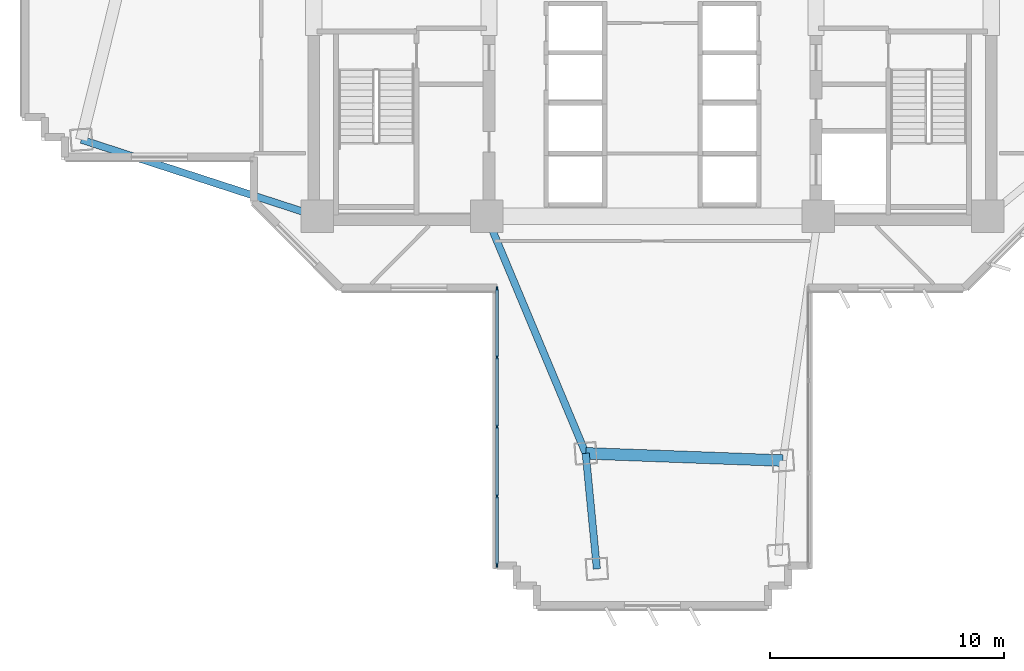
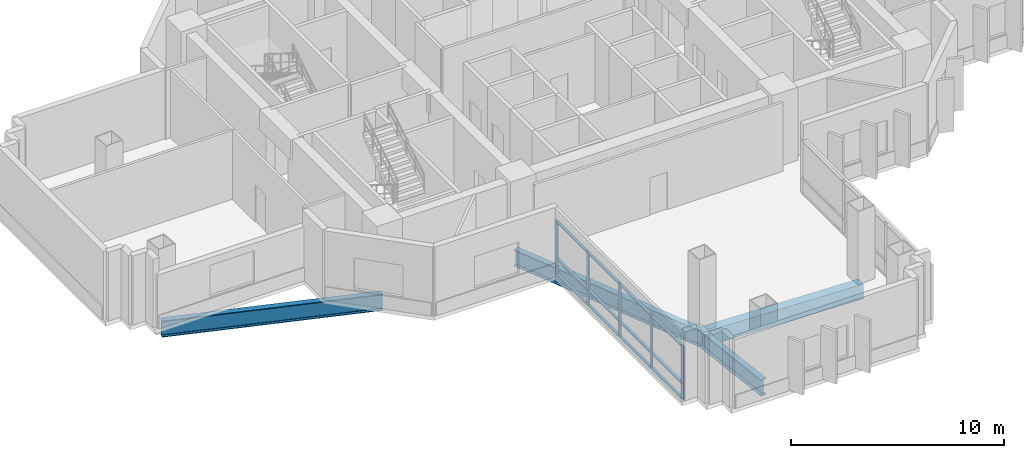
# One storey, part 2 of 14: 17 members, 4 beams, 1 element without a shape of its own.
"""IFC4 building model written with IfcOpenShell, lengths in metres."""

from ifc_helpers import new_model, si_unit, direction, frame, origin, origin_2d, place, context, subcontext, project, spatial, rectangle, i_section, extrude, source, transform, mapped, material, layer, layer_set, material_profile, profile_set, type_object, element, aggregate, save


model = new_model("IFC4")

# Units and contexts
model_context = context("Model", 3, precision=1e-05, world=origin(), true_north=direction((0.0, 1.0)))
body_context = subcontext(model_context, "Body", "Model", "MODEL_VIEW")
ifc_project = project(units=[si_unit("LENGTHUNIT", "METRE"), si_unit("AREAUNIT", "SQUARE_METRE"), si_unit("VOLUMEUNIT", "CUBIC_METRE"), si_unit("PLANEANGLEUNIT", "RADIAN"), si_unit("MASSUNIT", "GRAM", prefix="KILO")], contexts=[model_context])

# Site, building, storey
site_placement = place(None, origin())
site = spatial("IfcSite", under=ifc_project, at=site_placement, CompositionType="ELEMENT")
building_placement = place(site_placement, origin())
building = spatial("IfcBuilding", under=site, at=building_placement, Name="Zahravan Cultural Tower", CompositionType="ELEMENT")
storey_placement = place(building_placement, frame((0.0, 0.0, 37.5)))
storey = spatial("IfcBuildingStorey", under=building, at=storey_placement, Name="L07", CompositionType="ELEMENT", Elevation=37.5)

# Beams
ifc_material_1 = material(Name="Steel ASTM A992 Grade 50", Category="steel")
ifc_material_profile_1 = material_profile(ifc_material_1, i_section(OverallWidth=0.30908203125, OverallDepth=0.931884765625, WebThickness=0.02099609375, FlangeThickness=0.034423828125, FilletRadius=0.02392578125, at=origin_2d()), Name="W36X210")
ifc_profile_set_1 = profile_set([ifc_material_profile_1], Name="Steel ASTM A992 Grade 50")
beam_type_1 = type_object("IfcBeamType", Name="BM-G-W36X210", PredefinedType="BEAM", material=ifc_profile_set_1)
shared_shape_1 = source(origin(), body_context, "Body", "SweptSolid", [
    extrude(i_section(OverallWidth=0.30908203125, OverallDepth=0.931884765625, WebThickness=0.02099609375, FlangeThickness=0.034423828125, FilletRadius=0.02392578125, at=origin_2d()), origin(), (0.0, 0.0, 1.0), 10.615966796875),
])
beam_1_placement = place(storey_placement, frame((21.64990234375, 17.800048828125, -0.716064453125), z_axis=(-0.951063640083, 0.30899506875, 0.0), x_axis=(-0.30899506875, -0.951063640083, 0.0)))
element("IfcBeam", 1, at=beam_1_placement, inside=storey, type_object=beam_type_1, Name="L07 Beam BG-L07-07", PredefinedType="BEAM", context=body_context, shape_type="MappedRepresentation", body=[
    mapped(shared_shape_1, transform((0.0, 0.0, 0.0), x_axis=(1.0, 0.0, 0.0), y_axis=(0.0, 1.0, 0.0), z_axis=(0.0, 0.0, 1.0), scale=1.0)),
])
shared_shape_2 = source(origin(), body_context, "Body", "SweptSolid", [
    extrude(i_section(OverallWidth=0.30908203125, OverallDepth=0.931884765625, WebThickness=0.02099609375, FlangeThickness=0.034423828125, FilletRadius=0.02392578125, at=origin_2d()), origin(), (0.0, 0.0, 1.0), 10.997802734375),
])
beam_2_placement = place(storey_placement, frame((28.89990234375, 17.800048828125, -0.716064453125), z_axis=(0.385775211449, -0.922592806297, 0.0), x_axis=(0.922592806297, 0.385775211449, 0.0)))
element("IfcBeam", 2, at=beam_2_placement, inside=storey, type_object=beam_type_1, Name="L07 Beam BG-L07-08", PredefinedType="BEAM", context=body_context, shape_type="MappedRepresentation", body=[
    mapped(shared_shape_2, transform((0.0, 0.0, 0.0), x_axis=(1.0, 0.0, 0.0), y_axis=(0.0, 1.0, 0.0), z_axis=(0.0, 0.0, 1.0), scale=1.0)),
])
shared_shape_3 = source(origin(), body_context, "Body", "SweptSolid", [
    extrude(i_section(OverallWidth=0.30908203125, OverallDepth=0.931884765625, WebThickness=0.02099609375, FlangeThickness=0.034423828125, FilletRadius=0.02392578125, at=origin_2d()), origin(), (0.0, 0.0, 1.0), 4.973876953125),
])
beam_3_placement = place(storey_placement, frame((33.142578125, 7.653564453125, -0.716064453125), z_axis=(0.096154779131, -0.995366394073, 0.0), x_axis=(0.995366394073, 0.096154779131, 0.0)))
element("IfcBeam", 3, at=beam_3_placement, inside=storey, type_object=beam_type_1, Name="L07 Beam BG-L07-17", PredefinedType="BEAM", context=body_context, shape_type="MappedRepresentation", body=[
    mapped(shared_shape_3, transform((0.0, 0.0, 0.0), x_axis=(1.0, 0.0, 0.0), y_axis=(0.0, 1.0, 0.0), z_axis=(0.0, 0.0, 1.0), scale=1.0)),
])
ifc_material_2 = material(Name="Concrete C50/60", Category="concrete")
ifc_material_profile_2 = material_profile(ifc_material_2, rectangle(XDim=0.5, YDim=0.85009765625, at=origin_2d()), Name="RC500X850")
ifc_profile_set_2 = profile_set([ifc_material_profile_2], Name="Concrete C50/60")
beam_type_2 = type_object("IfcBeamType", Name="BM-SP-RC500X850", PredefinedType="SPANDREL", material=ifc_profile_set_2)
shared_shape_4 = source(origin(), body_context, "Body", "SweptSolid", [
    extrude(rectangle(XDim=0.5, YDim=0.85009765625, at=origin_2d()), origin(), (0.0, 0.0, 1.0), 8.4482421875),
])
beam_4_placement = place(storey_placement, frame((33.142578125, 7.653564453125, -0.675048828125), z_axis=(0.999318826256, -0.036903705643, 0.0), x_axis=(0.036903705643, 0.999318826256, 0.0)))
element("IfcBeam", 4, at=beam_4_placement, inside=storey, type_object=beam_type_2, Name="L07 Beam SP-L07-19", PredefinedType="SPANDREL", context=body_context, shape_type="MappedRepresentation", body=[
    mapped(shared_shape_4, transform((0.0, 0.0, 0.0), x_axis=(1.0, 0.0, 0.0), y_axis=(0.0, 1.0, 0.0), z_axis=(0.0, 0.0, 1.0), scale=1.0)),
])

# Curtain wall, members
ifc_material_3 = material(Name="Anodised bronze-aluminium mullion", Category="aluminium")
ifc_layer = layer(ifc_material_3, 0.179931640625)
ifc_layer_set = layer_set([ifc_layer], Name="Anodised bronze-aluminium mullion")
curtain_wall_type = type_object("IfcCurtainWallType", Name="CW-SYS-3", PredefinedType="USERDEFINED", material=ifc_layer_set)
curtain_wall_placement = place(storey_placement, origin())
curtain_wall = element("IfcCurtainWall", 5, at=curtain_wall_placement, inside=storey, type_object=curtain_wall_type, Name="L07 Recessed Curtain Wall CW-3.2", ObjectType="RECESSED GLAZING", PredefinedType="USERDEFINED")
ifc_material_profile_3 = material_profile(ifc_material_3, rectangle(XDim=0.139892578125, YDim=0.070068359375, at=origin_2d()), Name="AL-T70X140")
ifc_profile_set_3 = profile_set([ifc_material_profile_3], Name="Anodised bronze-aluminium mullion")
member_type_1 = type_object("IfcMemberType", Name="CWT-CW-3", PredefinedType="USERDEFINED", material=ifc_profile_set_3)
shared_shape_5 = source(origin(), body_context, "Body", "SweptSolid", [
    extrude(rectangle(XDim=0.139892578125, YDim=0.070068359375, at=origin_2d()), origin(), (0.0, 0.0, 1.0), 2.8701171875),
])
member_1_placement = place(storey_placement, frame((29.340087890625, 2.909912109375, 0.034912109375), z_axis=(0.0, 1.0, 0.0), x_axis=(-1.0, 0.0, 0.0)))
member_1 = element("IfcMember", 6, at=member_1_placement, type_object=member_type_1, Name="CW-3 transom 1.1", ObjectType="TRANSOM", PredefinedType="USERDEFINED", context=body_context, shape_type="MappedRepresentation", body=[
    mapped(shared_shape_5, transform((0.0, 0.0, 0.0), x_axis=(1.0, 0.0, 0.0), y_axis=(0.0, 1.0, 0.0), z_axis=(0.0, 0.0, 1.0), scale=1.0)),
])
member_2_placement = place(storey_placement, frame((29.340087890625, 2.909912109375, 0.89990234375), z_axis=(0.0, 1.0, 0.0), x_axis=(-1.0, 0.0, 0.0)))
member_2 = element("IfcMember", 7, at=member_2_placement, type_object=member_type_1, Name="CW-3 transom 1.2", ObjectType="TRANSOM", PredefinedType="USERDEFINED", context=body_context, shape_type="MappedRepresentation", body=[
    mapped(shared_shape_5, transform((0.0, 0.0, 0.0), x_axis=(1.0, 0.0, 0.0), y_axis=(0.0, 1.0, 0.0), z_axis=(0.0, 0.0, 1.0), scale=1.0)),
])
member_3_placement = place(storey_placement, frame((29.340087890625, 2.909912109375, 3.034912109375), z_axis=(0.0, 1.0, 0.0), x_axis=(-1.0, 0.0, 0.0)))
member_3 = element("IfcMember", 8, at=member_3_placement, type_object=member_type_1, Name="CW-3 transom 1.3", ObjectType="TRANSOM", PredefinedType="USERDEFINED", context=body_context, shape_type="MappedRepresentation", body=[
    mapped(shared_shape_5, transform((0.0, 0.0, 0.0), x_axis=(1.0, 0.0, 0.0), y_axis=(0.0, 1.0, 0.0), z_axis=(0.0, 0.0, 1.0), scale=1.0)),
])
shared_shape_6 = source(origin(), body_context, "Body", "SweptSolid", [
    extrude(rectangle(XDim=0.139892578125, YDim=0.070068359375, at=origin_2d()), origin(), (0.0, 0.0, 1.0), 2.90478515625),
])
member_4_placement = place(storey_placement, frame((29.340087890625, 5.85009765625, 0.034912109375), z_axis=(0.0, 1.0, 0.0), x_axis=(-1.0, 0.0, 0.0)))
member_4 = element("IfcMember", 9, at=member_4_placement, type_object=member_type_1, Name="CW-3 transom 2.1", ObjectType="TRANSOM", PredefinedType="USERDEFINED", context=body_context, shape_type="MappedRepresentation", body=[
    mapped(shared_shape_6, transform((0.0, 0.0, 0.0), x_axis=(1.0, 0.0, 0.0), y_axis=(0.0, 1.0, 0.0), z_axis=(0.0, 0.0, 1.0), scale=1.0)),
])
member_5_placement = place(storey_placement, frame((29.340087890625, 5.85009765625, 0.89990234375), z_axis=(0.0, 1.0, 0.0), x_axis=(-1.0, 0.0, 0.0)))
member_5 = element("IfcMember", 10, at=member_5_placement, type_object=member_type_1, Name="CW-3 transom 2.2", ObjectType="TRANSOM", PredefinedType="USERDEFINED", context=body_context, shape_type="MappedRepresentation", body=[
    mapped(shared_shape_6, transform((0.0, 0.0, 0.0), x_axis=(1.0, 0.0, 0.0), y_axis=(0.0, 1.0, 0.0), z_axis=(0.0, 0.0, 1.0), scale=1.0)),
])
member_6_placement = place(storey_placement, frame((29.340087890625, 5.85009765625, 3.034912109375), z_axis=(0.0, 1.0, 0.0), x_axis=(-1.0, 0.0, 0.0)))
member_6 = element("IfcMember", 11, at=member_6_placement, type_object=member_type_1, Name="CW-3 transom 2.3", ObjectType="TRANSOM", PredefinedType="USERDEFINED", context=body_context, shape_type="MappedRepresentation", body=[
    mapped(shared_shape_6, transform((0.0, 0.0, 0.0), x_axis=(1.0, 0.0, 0.0), y_axis=(0.0, 1.0, 0.0), z_axis=(0.0, 0.0, 1.0), scale=1.0)),
])
shared_shape_7 = source(origin(), body_context, "Body", "SweptSolid", [
    extrude(rectangle(XDim=0.139892578125, YDim=0.070068359375, at=origin_2d()), origin(), (0.0, 0.0, 1.0), 2.905029296875),
])
member_7_placement = place(storey_placement, frame((29.340087890625, 8.824951171875, 0.034912109375), z_axis=(0.0, 1.0, 0.0), x_axis=(-1.0, 0.0, 0.0)))
member_7 = element("IfcMember", 12, at=member_7_placement, type_object=member_type_1, Name="CW-3 transom 3.1", ObjectType="TRANSOM", PredefinedType="USERDEFINED", context=body_context, shape_type="MappedRepresentation", body=[
    mapped(shared_shape_7, transform((0.0, 0.0, 0.0), x_axis=(1.0, 0.0, 0.0), y_axis=(0.0, 1.0, 0.0), z_axis=(0.0, 0.0, 1.0), scale=1.0)),
])
member_8_placement = place(storey_placement, frame((29.340087890625, 8.824951171875, 0.89990234375), z_axis=(0.0, 1.0, 0.0), x_axis=(-1.0, 0.0, 0.0)))
member_8 = element("IfcMember", 13, at=member_8_placement, type_object=member_type_1, Name="CW-3 transom 3.2", ObjectType="TRANSOM", PredefinedType="USERDEFINED", context=body_context, shape_type="MappedRepresentation", body=[
    mapped(shared_shape_7, transform((0.0, 0.0, 0.0), x_axis=(1.0, 0.0, 0.0), y_axis=(0.0, 1.0, 0.0), z_axis=(0.0, 0.0, 1.0), scale=1.0)),
])
member_9_placement = place(storey_placement, frame((29.340087890625, 8.824951171875, 3.034912109375), z_axis=(0.0, 1.0, 0.0), x_axis=(-1.0, 0.0, 0.0)))
member_9 = element("IfcMember", 14, at=member_9_placement, type_object=member_type_1, Name="CW-3 transom 3.3", ObjectType="TRANSOM", PredefinedType="USERDEFINED", context=body_context, shape_type="MappedRepresentation", body=[
    mapped(shared_shape_7, transform((0.0, 0.0, 0.0), x_axis=(1.0, 0.0, 0.0), y_axis=(0.0, 1.0, 0.0), z_axis=(0.0, 0.0, 1.0), scale=1.0)),
])
shared_shape_8 = source(origin(), body_context, "Body", "SweptSolid", [
    extrude(rectangle(XDim=0.139892578125, YDim=0.070068359375, at=origin_2d()), origin(), (0.0, 0.0, 1.0), 2.869873046875),
])
member_10_placement = place(storey_placement, frame((29.340087890625, 11.800048828125, 0.034912109375), z_axis=(0.0, 1.0, 0.0), x_axis=(-1.0, 0.0, 0.0)))
member_10 = element("IfcMember", 15, at=member_10_placement, type_object=member_type_1, Name="CW-3 transom 4.1", ObjectType="TRANSOM", PredefinedType="USERDEFINED", context=body_context, shape_type="MappedRepresentation", body=[
    mapped(shared_shape_8, transform((0.0, 0.0, 0.0), x_axis=(1.0, 0.0, 0.0), y_axis=(0.0, 1.0, 0.0), z_axis=(0.0, 0.0, 1.0), scale=1.0)),
])
member_11_placement = place(storey_placement, frame((29.340087890625, 11.800048828125, 0.89990234375), z_axis=(0.0, 1.0, 0.0), x_axis=(-1.0, 0.0, 0.0)))
member_11 = element("IfcMember", 16, at=member_11_placement, type_object=member_type_1, Name="CW-3 transom 4.2", ObjectType="TRANSOM", PredefinedType="USERDEFINED", context=body_context, shape_type="MappedRepresentation", body=[
    mapped(shared_shape_8, transform((0.0, 0.0, 0.0), x_axis=(1.0, 0.0, 0.0), y_axis=(0.0, 1.0, 0.0), z_axis=(0.0, 0.0, 1.0), scale=1.0)),
])
member_12_placement = place(storey_placement, frame((29.340087890625, 11.800048828125, 3.034912109375), z_axis=(0.0, 1.0, 0.0), x_axis=(-1.0, 0.0, 0.0)))
member_12 = element("IfcMember", 17, at=member_12_placement, type_object=member_type_1, Name="CW-3 transom 4.3", ObjectType="TRANSOM", PredefinedType="USERDEFINED", context=body_context, shape_type="MappedRepresentation", body=[
    mapped(shared_shape_8, transform((0.0, 0.0, 0.0), x_axis=(1.0, 0.0, 0.0), y_axis=(0.0, 1.0, 0.0), z_axis=(0.0, 0.0, 1.0), scale=1.0)),
])
ifc_material_profile_4 = material_profile(ifc_material_3, rectangle(XDim=0.070068359375, YDim=0.179931640625, at=origin_2d()), Name="AL-M70X180")
ifc_profile_set_4 = profile_set([ifc_material_profile_4], Name="Anodised bronze-aluminium mullion")
member_type_2 = type_object("IfcMemberType", Name="CWM-CW-3", PredefinedType="MULLION", material=ifc_profile_set_4)
shared_shape_9 = source(origin(), body_context, "Body", "SweptSolid", [
    extrude(rectangle(XDim=0.070068359375, YDim=0.179931640625, at=origin_2d()), origin(), (0.0, 0.0, 1.0), 3.070068359375),
])
member_13_placement = place(storey_placement, frame((29.340087890625, 2.875, 0.0), z_axis=(0.0, 0.0, 1.0), x_axis=(-1.0, 0.0, 0.0)))
member_13 = element("IfcMember", 18, at=member_13_placement, type_object=member_type_2, Name="CW-3 mullion 1", PredefinedType="MULLION", context=body_context, shape_type="MappedRepresentation", body=[
    mapped(shared_shape_9, transform((0.0, 0.0, 0.0), x_axis=(1.0, 0.0, 0.0), y_axis=(0.0, 1.0, 0.0), z_axis=(0.0, 0.0, 1.0), scale=1.0)),
])
member_14_placement = place(storey_placement, frame((29.340087890625, 5.81494140625, 0.0), z_axis=(0.0, 0.0, 1.0), x_axis=(-1.0, 0.0, 0.0)))
member_14 = element("IfcMember", 19, at=member_14_placement, type_object=member_type_2, Name="CW-3 mullion 2", PredefinedType="MULLION", context=body_context, shape_type="MappedRepresentation", body=[
    mapped(shared_shape_9, transform((0.0, 0.0, 0.0), x_axis=(1.0, 0.0, 0.0), y_axis=(0.0, 1.0, 0.0), z_axis=(0.0, 0.0, 1.0), scale=1.0)),
])
member_15_placement = place(storey_placement, frame((29.340087890625, 8.7900390625, 0.0), z_axis=(0.0, 0.0, 1.0), x_axis=(-1.0, 0.0, 0.0)))
member_15 = element("IfcMember", 20, at=member_15_placement, type_object=member_type_2, Name="CW-3 mullion 3", PredefinedType="MULLION", context=body_context, shape_type="MappedRepresentation", body=[
    mapped(shared_shape_9, transform((0.0, 0.0, 0.0), x_axis=(1.0, 0.0, 0.0), y_axis=(0.0, 1.0, 0.0), z_axis=(0.0, 0.0, 1.0), scale=1.0)),
])
member_16_placement = place(storey_placement, frame((29.340087890625, 11.764892578125, 0.0), z_axis=(0.0, 0.0, 1.0), x_axis=(-1.0, 0.0, 0.0)))
member_16 = element("IfcMember", 21, at=member_16_placement, type_object=member_type_2, Name="CW-3 mullion 4", PredefinedType="MULLION", context=body_context, shape_type="MappedRepresentation", body=[
    mapped(shared_shape_9, transform((0.0, 0.0, 0.0), x_axis=(1.0, 0.0, 0.0), y_axis=(0.0, 1.0, 0.0), z_axis=(0.0, 0.0, 1.0), scale=1.0)),
])
member_17_placement = place(storey_placement, frame((29.340087890625, 14.705078125, 0.0), z_axis=(0.0, 0.0, 1.0), x_axis=(-1.0, 0.0, 0.0)))
member_17 = element("IfcMember", 22, at=member_17_placement, type_object=member_type_2, Name="CW-3 mullion 5", PredefinedType="MULLION", context=body_context, shape_type="MappedRepresentation", body=[
    mapped(shared_shape_9, transform((0.0, 0.0, 0.0), x_axis=(1.0, 0.0, 0.0), y_axis=(0.0, 1.0, 0.0), z_axis=(0.0, 0.0, 1.0), scale=1.0)),
])
aggregate(curtain_wall, [member_13, member_14, member_15, member_16, member_17, member_1, member_2, member_3, member_4, member_5, member_6, member_7, member_8, member_9, member_10, member_11, member_12])

save(model, "model.ifc")
